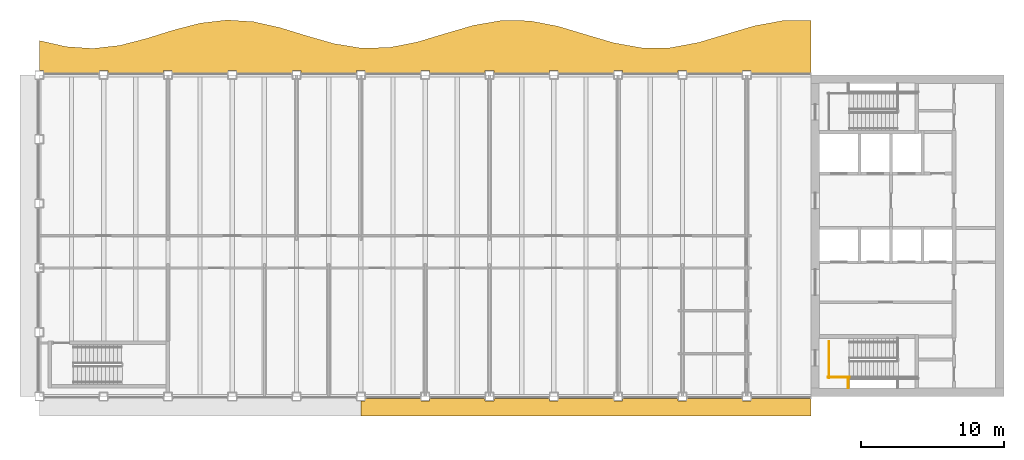
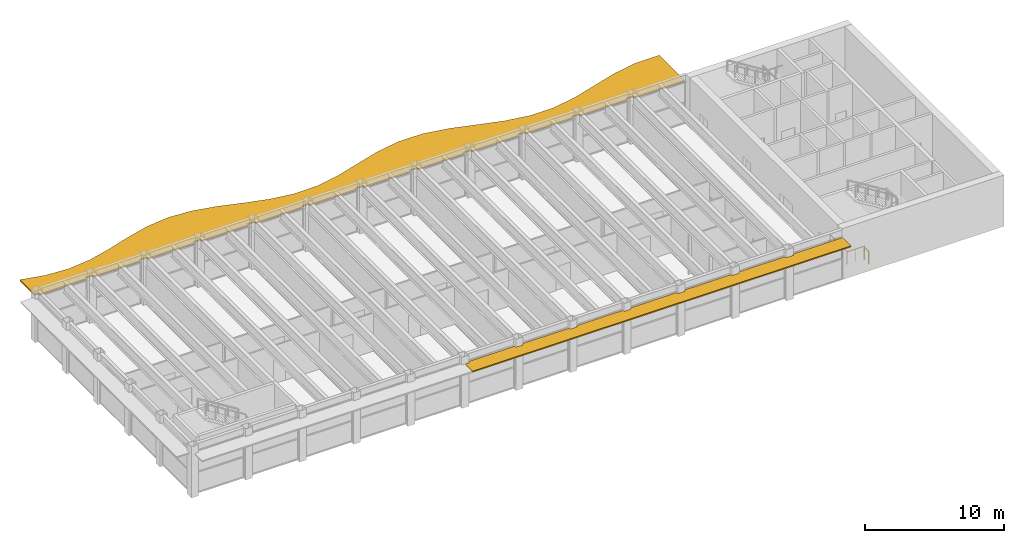
# One storey, part 13 of 14: 3 railings, 2 shading devices.
"""IFC4 building model written with IfcOpenShell, lengths in metres."""

from ifc_helpers import new_model, si_unit, direction, frame, origin, origin_2d, place, context, subcontext, project, spatial, polyline, rectangle, outline, extrude, material, layer, layer_set, type_object, element, save


model = new_model("IFC4")

# Units and contexts
model_context = context("Model", 3, precision=1e-05, world=origin(), true_north=direction((0.0, 1.0)))
body_context = subcontext(model_context, "Body", "Model", "MODEL_VIEW")
ifc_project = project(units=[si_unit("LENGTHUNIT", "METRE"), si_unit("AREAUNIT", "SQUARE_METRE"), si_unit("VOLUMEUNIT", "CUBIC_METRE"), si_unit("PLANEANGLEUNIT", "RADIAN"), si_unit("MASSUNIT", "GRAM", prefix="KILO")], contexts=[model_context])

# Site, building, storey
site_placement = place(None, origin())
site = spatial("IfcSite", under=ifc_project, at=site_placement, CompositionType="ELEMENT")
building_placement = place(site_placement, origin())
building = spatial("IfcBuilding", under=site, at=building_placement, Name="Sennacour Bend Tower", CompositionType="ELEMENT")
storey_placement = place(building_placement, frame((0.0, 0.0, 332.0)))
storey = spatial("IfcBuildingStorey", under=building, at=storey_placement, Name="L76", CompositionType="ELEMENT", Elevation=332.0)

# Railings
ifc_material_1 = material(Name="Stainless steel", Category="steel")
railing_type = type_object("IfcRailingType", Name="RL-GUARD-1100", PredefinedType="GUARDRAIL", material=ifc_material_1)
railing_1_placement = place(storey_placement, frame((55.199951171875, 1.35009765625, 0.0)))
element("IfcRailing", 1, at=railing_1_placement, inside=storey, type_object=railing_type, Name="L76 SA1 stair guard 6", PredefinedType="GUARDRAIL", context=body_context, shape_type="SweptSolid", body=[
    extrude(rectangle(XDim=0.048095703125, YDim=0.048095703125, at=origin_2d()), frame((0.0, 0.0, 1.076171875), z_axis=(1.0, 0.0, 0.0), x_axis=(0.0, 1.0, 0.0)), (0.0, 0.0, 1.0), 1.5),
    extrude(rectangle(XDim=0.0419921875, YDim=0.0419921875, at=origin_2d()), origin(), (0.0, 0.0, 1.0), 1.052001953125),
    extrude(rectangle(XDim=0.0419921875, YDim=0.0419921875, at=origin_2d()), frame((0.75, 0.0, 0.0)), (0.0, 0.0, 1.0), 1.052001953125),
    extrude(rectangle(XDim=0.0419921875, YDim=0.0419921875, at=origin_2d()), frame((1.5, 0.0, 0.0)), (0.0, 0.0, 1.0), 1.052001953125),
])
railing_2_placement = place(storey_placement, frame((55.25, 1.300048828125, 0.0)))
element("IfcRailing", 2, at=railing_2_placement, inside=storey, type_object=railing_type, Name="L76 SA1 stair guard 7", PredefinedType="GUARDRAIL", context=body_context, shape_type="SweptSolid", body=[
    extrude(rectangle(XDim=0.048095703125, YDim=0.048095703125, at=origin_2d()), frame((0.0, 0.0, 1.076171875), z_axis=(0.0, 1.0, 0.0), x_axis=(-1.0, 0.0, 0.0)), (0.0, 0.0, 1.0), 2.550048828125),
    extrude(rectangle(XDim=0.0419921875, YDim=0.0419921875, at=origin_2d()), origin(), (0.0, 0.0, 1.0), 1.052001953125),
    extrude(rectangle(XDim=0.0419921875, YDim=0.0419921875, at=origin_2d()), frame((0.0, 0.85009765625, 0.0)), (0.0, 0.0, 1.0), 1.052001953125),
    extrude(rectangle(XDim=0.0419921875, YDim=0.0419921875, at=origin_2d()), frame((0.0, 1.699951171875, 0.0)), (0.0, 0.0, 1.0), 1.052001953125),
    extrude(rectangle(XDim=0.0419921875, YDim=0.0419921875, at=origin_2d()), frame((0.0, 2.550048828125, 0.0)), (0.0, 0.0, 1.0), 1.052001953125),
])
railing_3_placement = place(storey_placement, frame((56.60009765625, 1.25, 0.0)))
element("IfcRailing", 3, at=railing_3_placement, inside=storey, type_object=railing_type, Name="L76 SA1 landing edge guard 163", PredefinedType="GUARDRAIL", context=body_context, shape_type="SweptSolid", body=[
    extrude(rectangle(XDim=0.048095703125, YDim=0.048095703125, at=origin_2d()), frame((0.0, 0.0, 1.076171875), z_axis=(0.0, -1.0, 0.0), x_axis=(1.0, 0.0, 0.0)), (0.0, 0.0, 1.0), 0.64990234375),
    extrude(rectangle(XDim=0.0419921875, YDim=0.0419921875, at=origin_2d()), origin(), (0.0, 0.0, 1.0), 1.052001953125),
    extrude(rectangle(XDim=0.0419921875, YDim=0.0419921875, at=origin_2d()), frame((0.0, -0.64990234375, 0.0)), (0.0, 0.0, 1.0), 1.052001953125),
])

# Shading devices
ifc_material_2 = material(Name="Bronze anodised aluminium", Category="aluminium")
ifc_layer_1 = layer(ifc_material_2, 0.10009765625, Name="Bronze anodised aluminium", Category="aluminium")
ifc_layer_set_1 = layer_set([ifc_layer_1], Name="Bronze anodised aluminium")
shading_device_type_1 = type_object("IfcShadingDeviceType", Name="SUNSHADE BAND STRAIGHT", PredefinedType="USERDEFINED", material=ifc_layer_set_1)
shading_device_1_placement = place(storey_placement, frame((0.0, 0.0, 3.572021484375)))
element("IfcShadingDevice", 4, at=shading_device_1_placement, inside=storey, type_object=shading_device_type_1, Name="Sunshade band L76 A outer face", ObjectType="SUNSHADE", PredefinedType="USERDEFINED", context=body_context, shape_type="SweptSolid", body=[
    extrude(outline(polyline([(26.699951171875, -0.14990234375), (26.699951171875, -0.300048828125), (27.300048828125, -0.300048828125), (27.300048828125, -0.14990234375), (31.199951171875, -0.14990234375), (31.199951171875, -0.300048828125), (31.800048828125, -0.300048828125), (31.800048828125, -0.14990234375), (35.699951171875, -0.14990234375), (35.699951171875, -0.300048828125), (36.300048828125, -0.300048828125), (36.300048828125, -0.14990234375), (40.199951171875, -0.14990234375), (40.199951171875, -0.300048828125), (40.800048828125, -0.300048828125), (40.800048828125, -0.14990234375), (44.699951171875, -0.14990234375), (44.699951171875, -0.300048828125), (45.300048828125, -0.300048828125), (45.300048828125, -0.14990234375), (49.199951171875, -0.14990234375), (49.199951171875, -0.300048828125), (49.800048828125, -0.300048828125), (49.800048828125, -0.14990234375), (54.0, -0.14990234375), (54.0, -1.35009765625), (22.5, -1.35009765625), (22.5, -0.300048828125), (22.800048828125, -0.300048828125), (22.800048828125, -0.14990234375), (26.699951171875, -0.14990234375)])), origin(), (0.0, 0.0, 1.0), 0.10009765625),
])
ifc_layer_2 = layer(ifc_material_2, 0.1201171875, Name="Bronze anodised aluminium", Category="aluminium")
ifc_layer_set_2 = layer_set([ifc_layer_2], Name="Bronze anodised aluminium")
shading_device_type_2 = type_object("IfcShadingDeviceType", Name="SUNSHADE BAND WAVE", PredefinedType="USERDEFINED", material=ifc_layer_set_2)
shading_device_2_placement = place(storey_placement, frame((0.0, 0.0, 3.552001953125)))
element("IfcShadingDevice", 5, at=shading_device_2_placement, inside=storey, type_object=shading_device_type_2, Name="Sunshade band L76 concave faces", ObjectType="SUNSHADE", PredefinedType="USERDEFINED", context=body_context, shape_type="SweptSolid", body=[
    extrude(outline(polyline([(54.0, 22.64990234375), (49.800048828125, 22.64990234375), (49.800048828125, 22.800048828125), (49.199951171875, 22.800048828125), (49.199951171875, 22.64990234375), (45.300048828125, 22.64990234375), (45.300048828125, 22.800048828125), (44.699951171875, 22.800048828125), (44.699951171875, 22.64990234375), (40.800048828125, 22.64990234375), (40.800048828125, 22.800048828125), (40.199951171875, 22.800048828125), (40.199951171875, 22.64990234375), (36.300048828125, 22.64990234375), (36.300048828125, 22.800048828125), (35.699951171875, 22.800048828125), (35.699951171875, 22.64990234375), (31.800048828125, 22.64990234375), (31.800048828125, 22.800048828125), (31.199951171875, 22.800048828125), (31.199951171875, 22.64990234375), (27.300048828125, 22.64990234375), (27.300048828125, 22.800048828125), (26.699951171875, 22.800048828125), (26.699951171875, 22.64990234375), (22.800048828125, 22.64990234375), (22.800048828125, 22.800048828125), (22.199951171875, 22.800048828125), (22.199951171875, 22.64990234375), (18.300048828125, 22.64990234375), (18.300048828125, 22.800048828125), (17.699951171875, 22.800048828125), (17.699951171875, 22.64990234375), (13.800048828125, 22.64990234375), (13.800048828125, 22.800048828125), (13.199951171875, 22.800048828125), (13.199951171875, 22.64990234375), (9.300048828125, 22.64990234375), (9.300048828125, 22.800048828125), (8.699951171875, 22.800048828125), (8.699951171875, 22.64990234375), (4.800048828125, 22.64990234375), (4.800048828125, 22.800048828125), (4.199951171875, 22.800048828125), (4.199951171875, 22.64990234375), (0.300048828125, 22.64990234375), (0.300048828125, 22.800048828125), (0.0, 22.800048828125), (0.0, 24.90869140625), (1.875, 24.481689453125), (3.75, 24.352783203125), (5.625, 24.56689453125), (7.5, 25.050048828125), (9.375, 25.63623046875), (11.25, 26.1240234375), (13.125, 26.345947265625), (15.0, 26.225341796875), (16.875, 25.803955078125), (18.75, 25.2265625), (20.625, 24.69140625), (22.5, 24.3828125), (24.46875, 24.416748046875), (26.4375, 24.803466796875), (28.40625, 25.396484375), (30.375, 25.971923828125), (32.34375, 26.3125), (34.3125, 26.289306640625), (36.28125, 25.91162109375), (38.25, 25.3212890625), (40.21875, 24.7421875), (42.1875, 24.392578125), (44.15625, 24.404541015625), (46.125, 24.773681640625), (48.09375, 25.360595703125), (50.0625, 25.943603515625), (52.03125, 26.30224609375), (54.0, 26.301025390625), (54.0, 22.64990234375)])), origin(), (0.0, 0.0, 1.0), 0.1201171875),
])

save(model, "model.ifc")
